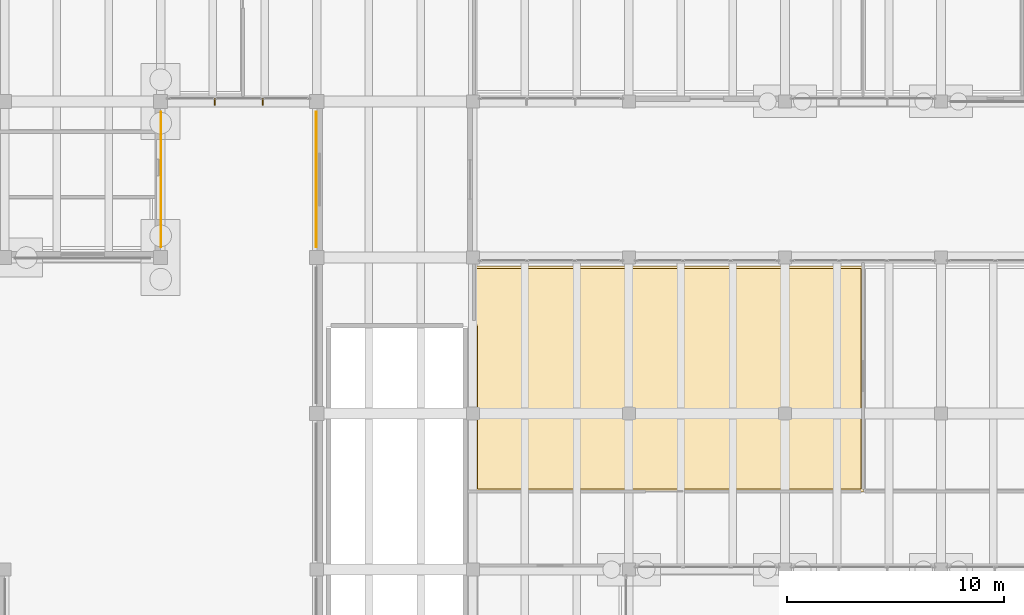
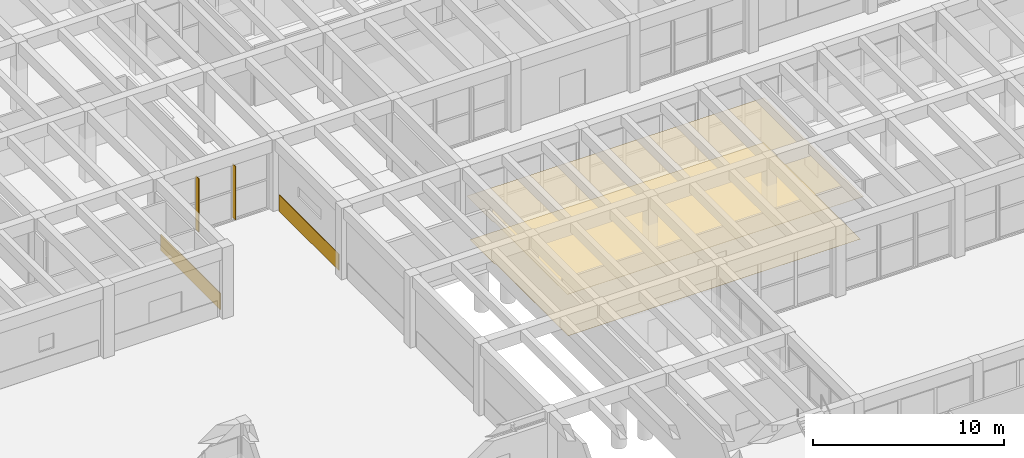
# One storey, part 147 of 155: 4 coverings, 2 shading devices.
"""IFC4 building model written with IfcOpenShell, lengths in metres."""

from ifc_helpers import new_model, si_unit, direction, frame, origin, origin_2d, place, context, subcontext, project, spatial, polyline, rectangle, outline, extrude, material, layer, layer_set, type_object, element, save


model = new_model("IFC4")

# Units and contexts
model_context = context("Model", 3, precision=1e-05, world=origin(), true_north=direction((0.0, 1.0)))
body_context = subcontext(model_context, "Body", "Model", "MODEL_VIEW")
ifc_project = project(units=[si_unit("LENGTHUNIT", "METRE"), si_unit("AREAUNIT", "SQUARE_METRE"), si_unit("VOLUMEUNIT", "CUBIC_METRE"), si_unit("PLANEANGLEUNIT", "RADIAN"), si_unit("MASSUNIT", "GRAM", prefix="KILO")], contexts=[model_context])

# Site, building, storey
site_placement = place(None, origin())
site = spatial("IfcSite", under=ifc_project, at=site_placement, CompositionType="ELEMENT")
building_placement = place(site_placement, origin())
building = spatial("IfcBuilding", under=site, at=building_placement, Name="Bramvelor Terrace Health Centre", CompositionType="ELEMENT")
storey_placement = place(building_placement, origin())
storey = spatial("IfcBuildingStorey", under=building, at=storey_placement, Name="L01", CompositionType="ELEMENT", Elevation=0.0)

# Coverings
ifc_material_1 = material(Name="Honed volcanic tuff rainscreen stone", Category="masonry")
ifc_layer_1 = layer(ifc_material_1, 0.0400390625)
ifc_layer_set_1 = layer_set([ifc_layer_1], Name="Honed volcanic tuff rainscreen stone")
covering_type_1 = type_object("IfcCoveringType", Name="COV-CLAD-TUF", PredefinedType="CLADDING", material=ifc_layer_set_1)
for number, where, z_axis, x_axis, name in (
    (1, (43.18505859375, 82.800048828125, 0.02490234375), (0.0, 0.0, 1.0), (1.0, 0.0, 0.0), "L01 Volcanic Tuff Rainscreen Spandrel 15"),
    (2, (36.014892578125, 82.800048828125, 0.02490234375), (0.0, 0.0, 1.0), (1.0, 0.0, 0.0), "L01 Volcanic Tuff Rainscreen Spandrel 16"),
):
    element("IfcCovering", number, at=place(storey_placement, frame(where, z_axis=z_axis, x_axis=x_axis)), inside=storey, type_object=covering_type_1, Name=name, PredefinedType="CLADDING", context=body_context, shape_type="SweptSolid", body=[
        extrude(rectangle(XDim=0.0400390625, YDim=6.260009765625, at=origin_2d()), origin(), (0.0, 0.0, 1.0), 1.050048828125),
    ])
ifc_material_2 = material(Name="Hygienic mineral-fibre acoustic ceiling", Category="gypsum")
ifc_layer_2 = layer(ifc_material_2, 0.02001953125)
ifc_layer_set_2 = layer_set([ifc_layer_2], Name="Hygienic mineral-fibre acoustic ceiling")
covering_type_2 = type_object("IfcCoveringType", Name="COV-CLG-ACT", PredefinedType="CEILING", material=ifc_layer_set_2)
covering_1_placement = place(storey_placement, frame((0.0, 0.0, 2.75)))
element("IfcCovering", 3, at=covering_1_placement, inside=storey, type_object=covering_type_2, Name="L01 Patient Navigation and Records Suite Acoustic Ceiling", PredefinedType="CEILING", context=body_context, shape_type="SweptSolid", body=[
    extrude(outline(polyline([(68.39990234375, 78.820068359375), (68.402099609375, 78.81982421875), (68.40380859375, 78.819580078125), (68.40576171875, 78.819091796875), (68.40771484375, 78.818603515625), (68.409423828125, 78.817626953125), (68.4111328125, 78.816650390625), (68.41259765625, 78.8154296875), (68.4140625, 78.814208984375), (68.41552734375, 78.812744140625), (68.41650390625, 78.81103515625), (68.41748046875, 78.809326171875), (68.41845703125, 78.8076171875), (68.419189453125, 78.805908203125), (68.419677734375, 78.803955078125), (68.419921875, 78.802001953125), (68.419921875, 78.800048828125), (68.419921875, 68.409912109375), (68.419921875, 68.407958984375), (68.419677734375, 68.406005859375), (68.419189453125, 68.404296875), (68.41845703125, 68.40234375), (68.41748046875, 68.400634765625), (68.41650390625, 68.39892578125), (68.41552734375, 68.397216796875), (68.4140625, 68.39599609375), (68.41259765625, 68.39453125), (68.4111328125, 68.393310546875), (68.409423828125, 68.392333984375), (68.40771484375, 68.3916015625), (68.40576171875, 68.390869140625), (68.40380859375, 68.390380859375), (68.402099609375, 68.39013671875), (68.39990234375, 68.389892578125), (50.510009765625, 68.389892578125), (50.508056640625, 68.39013671875), (50.506103515625, 68.390380859375), (50.504150390625, 68.390869140625), (50.502197265625, 68.3916015625), (50.50048828125, 68.392333984375), (50.498779296875, 68.393310546875), (50.497314453125, 68.39453125), (50.495849609375, 68.39599609375), (50.494384765625, 68.397216796875), (50.493408203125, 68.39892578125), (50.492431640625, 68.400634765625), (50.491455078125, 68.40234375), (50.490966796875, 68.404296875), (50.490478515625, 68.406005859375), (50.489990234375, 68.407958984375), (50.489990234375, 68.409912109375), (50.489990234375, 75.9970703125), (50.430908203125, 76.193115234375), (50.430419921875, 76.195068359375), (50.43017578125, 76.197021484375), (50.429931640625, 76.198974609375), (50.431884765625, 78.800048828125), (50.43212890625, 78.802001953125), (50.432373046875, 78.803955078125), (50.432861328125, 78.805908203125), (50.43359375, 78.8076171875), (50.434326171875, 78.809326171875), (50.435302734375, 78.81103515625), (50.4365234375, 78.812744140625), (50.43798828125, 78.814208984375), (50.439208984375, 78.8154296875), (50.44091796875, 78.816650390625), (50.442626953125, 78.817626953125), (50.4443359375, 78.818603515625), (50.4462890625, 78.819091796875), (50.447998046875, 78.819580078125), (50.449951171875, 78.81982421875), (50.451904296875, 78.820068359375), (68.39990234375, 78.820068359375)])), origin(), (0.0, 0.0, 1.0), 0.02001953125),
])
ifc_material_3 = material(Name="Seamless antimicrobial clinical vinyl", Category="polymer")
ifc_layer_3 = layer(ifc_material_3, 0.008056640625)
ifc_layer_set_3 = layer_set([ifc_layer_3], Name="Seamless antimicrobial clinical vinyl")
covering_type_3 = type_object("IfcCoveringType", Name="COV-FLR-VNL", PredefinedType="FLOORING", material=ifc_layer_set_3)
covering_2_placement = place(storey_placement, origin())
element("IfcCovering", 4, at=covering_2_placement, inside=storey, type_object=covering_type_3, Name="L01 Patient Navigation and Records Suite Clinical Vinyl Flooring", PredefinedType="FLOORING", context=body_context, shape_type="SweptSolid", body=[
    extrude(outline(polyline([(68.300048828125, 78.699951171875), (68.300048828125, 68.510009765625), (50.610107421875, 68.510009765625), (50.610107421875, 76.0), (50.609619140625, 76.009765625), (50.608154296875, 76.019287109375), (50.605712890625, 76.02880859375), (50.550048828125, 76.213623046875), (50.552001953125, 78.699951171875), (68.300048828125, 78.699951171875)])), origin(), (0.0, 0.0, 1.0), 0.008056640625),
])

# Shading devices
ifc_material_4 = material(Name="Anodized aluminium 6063-T6", Category="aluminium")
ifc_layer_4 = layer(ifc_material_4, 0.050048828125)
ifc_layer_set_4 = layer_set([ifc_layer_4], Name="Anodized aluminium 6063-T6")
shading_device_type = type_object("IfcShadingDeviceType", Name="SHD-FIN-300", PredefinedType="JALOUSIE", material=ifc_layer_set_4)
for number, where, z_axis, x_axis, name in (
    (5, (40.715087890625, 86.3798828125, 0.150146484375), (0.0, 0.0, 1.0), (1.0, 0.0, 0.0), "L01 Solar Shading Louvre Fin 9"),
    (6, (38.48486328125, 86.3798828125, 0.150146484375), (0.0, 0.0, 1.0), (1.0, 0.0, 0.0), "L01 Solar Shading Louvre Fin 10"),
):
    element("IfcShadingDevice", number, at=place(storey_placement, frame(where, z_axis=z_axis, x_axis=x_axis)), inside=storey, type_object=shading_device_type, Name=name, PredefinedType="JALOUSIE", context=body_context, shape_type="SweptSolid", body=[
        extrude(rectangle(XDim=0.050048828125, YDim=0.300048828125, at=origin_2d()), origin(), (0.0, 0.0, 1.0), 3.419921875),
    ])

save(model, "model.ifc")
